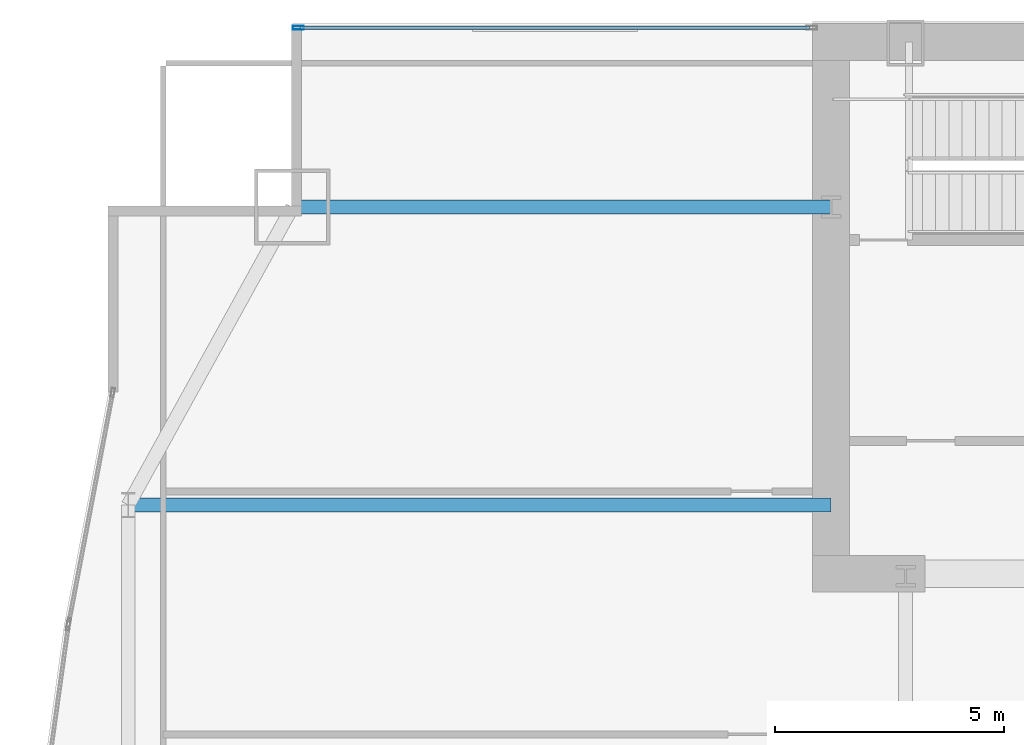
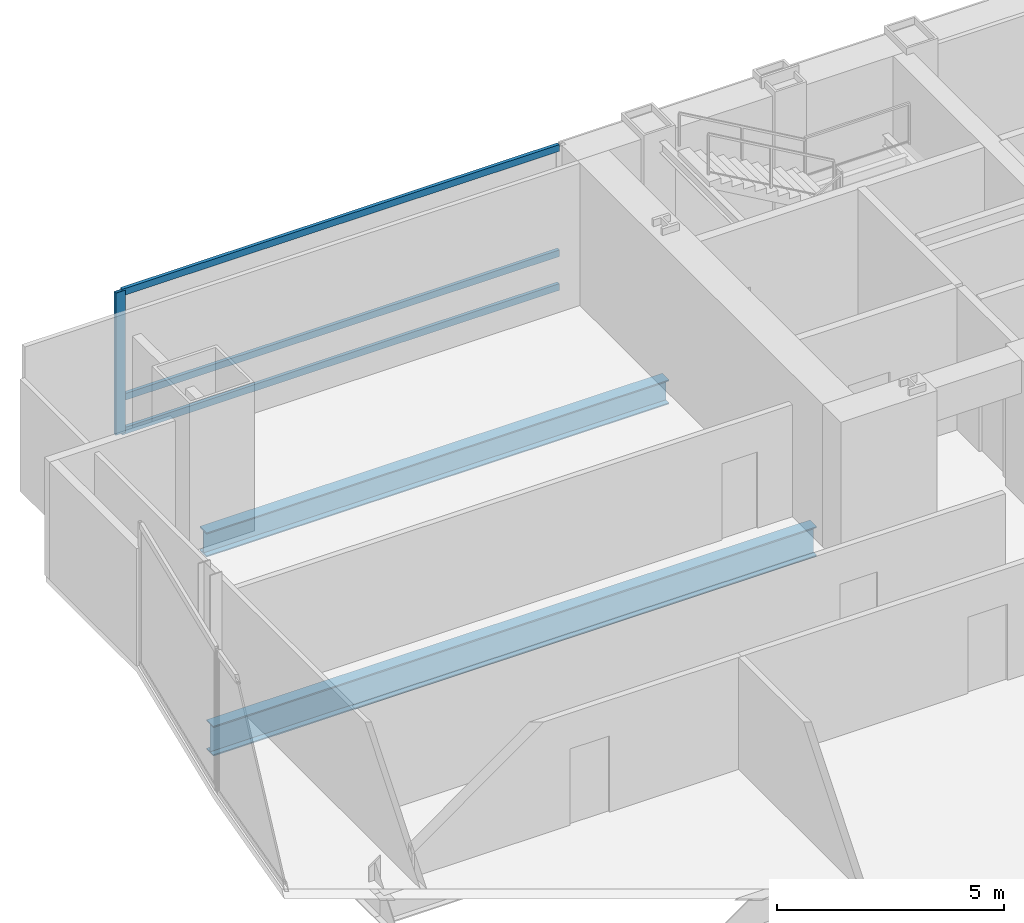
# One storey, part 17 of 37: 4 members, 2 beams, 1 element without a shape of its own.
"""IFC4 building model written with IfcOpenShell, lengths in metres."""

from ifc_helpers import new_model, si_unit, direction, frame, origin, origin_2d, place, context, subcontext, project, spatial, hollow_rectangle, i_section, extrude, material, material_profile, profile_set, type_object, element, aggregate, save


model = new_model("IFC4")

# Units and contexts
model_context = context("Model", 3, precision=1e-05, world=origin(), true_north=direction((0.0, 1.0)))
body_context = subcontext(model_context, "Body", "Model", "MODEL_VIEW")
ifc_project = project(units=[si_unit("LENGTHUNIT", "METRE"), si_unit("AREAUNIT", "SQUARE_METRE"), si_unit("VOLUMEUNIT", "CUBIC_METRE"), si_unit("PLANEANGLEUNIT", "RADIAN"), si_unit("MASSUNIT", "GRAM", prefix="KILO")], contexts=[model_context])

# Site, building, storey
site_placement = place(None, origin())
site = spatial("IfcSite", under=ifc_project, at=site_placement, CompositionType="ELEMENT")
building_placement = place(site_placement, origin())
building = spatial("IfcBuilding", under=site, at=building_placement, Name="Khoronbel Lancet Exchange", CompositionType="ELEMENT")
storey_placement = place(building_placement, frame((0.0, 0.0, 45.800048828125)))
storey = spatial("IfcBuildingStorey", under=building, at=storey_placement, Name="L10", CompositionType="ELEMENT", Elevation=45.800048828125)

# Beams
ifc_material_1 = material(Name="Steel S355", Category="steel")
ifc_material_profile_1 = material_profile(ifc_material_1, i_section(OverallWidth=0.300048828125, OverallDepth=0.800048828125, WebThickness=0.017578125, FlangeThickness=0.032958984375, at=origin_2d()), Name="HEB 800")
ifc_profile_set_1 = profile_set([ifc_material_profile_1], Name="Steel S355")
beam_type_1 = type_object("IfcBeamType", Name="BM-BG2", PredefinedType="BEAM", material=ifc_profile_set_1)
beam_1_placement = place(storey_placement, frame((1.27001953125, 43.199951171875, -0.580078125), z_axis=(1.0, 0.0, 0.0), x_axis=(0.0, 1.0, 0.0)))
element("IfcBeam", 1, at=beam_1_placement, inside=storey, type_object=beam_type_1, Name="Level L10 west lens tie girder LG3W", PredefinedType="BEAM", context=body_context, shape_type="SweptSolid", body=[
    extrude(i_section(OverallWidth=0.300048828125, OverallDepth=0.800048828125, WebThickness=0.017578125, FlangeThickness=0.032958984375, at=origin_2d()), origin(), (0.0, 0.0, 1.0), 15.330078125),
])
ifc_material_profile_2 = material_profile(ifc_material_1, i_section(OverallWidth=0.300048828125, OverallDepth=0.64990234375, WebThickness=0.01611328125, FlangeThickness=0.031005859375, at=origin_2d()), Name="HEB 650")
ifc_profile_set_2 = profile_set([ifc_material_profile_2], Name="Steel S355")
beam_type_2 = type_object("IfcBeamType", Name="BM-BSP1", PredefinedType="SPANDREL", material=ifc_profile_set_2)
beam_2_placement = place(storey_placement, frame((4.85009765625, 49.699951171875, -0.505126953125), z_axis=(1.0, 0.0, 0.0), x_axis=(0.0, 1.0, 0.0)))
element("IfcBeam", 2, at=beam_2_placement, inside=storey, type_object=beam_type_2, Name="Level L10 north flank tie spandrel SP22", PredefinedType="SPANDREL", context=body_context, shape_type="SweptSolid", body=[
    extrude(i_section(OverallWidth=0.300048828125, OverallDepth=0.64990234375, WebThickness=0.01611328125, FlangeThickness=0.031005859375, at=origin_2d()), origin(), (0.0, 0.0, 1.0), 11.75),
])

# Curtain wall, members
ifc_material_2 = material(Name="Low-E Solar Control Insulating Glass", Category="glass")
curtain_wall_type = type_object("IfcCurtainWallType", Name="CW-1", PredefinedType="NOTDEFINED", material=ifc_material_2)
curtain_wall_placement = place(storey_placement, origin())
curtain_wall = element("IfcCurtainWall", 3, at=curtain_wall_placement, inside=storey, type_object=curtain_wall_type, Name="Unitised curtain wall CW-L10-NWFLK", PredefinedType="NOTDEFINED")
ifc_material_3 = material(Name="Bronze-Anodised Aluminium 6063-T6", Category="aluminium")
ifc_material_profile_3 = material_profile(ifc_material_3, hollow_rectangle(XDim=0.0849609375, YDim=0.239990234375, WallThickness=0.006103515625, at=origin_2d()), Name="ALU MULLION 85x240")
ifc_profile_set_3 = profile_set([ifc_material_profile_3], Name="Bronze-Anodised Aluminium 6063-T6")
member_type_1 = type_object("IfcMemberType", Name="MEM-CWM1", PredefinedType="MULLION", material=ifc_profile_set_3)
member_1_placement = place(storey_placement, frame((4.982421875, 53.610107421875, 0.0), z_axis=(0.0, 0.0, 1.0), x_axis=(0.0, -1.0, 0.0)))
member_1 = element("IfcMember", 4, at=member_1_placement, type_object=member_type_1, Name="CW1 mullion 2", PredefinedType="MULLION", context=body_context, shape_type="SweptSolid", body=[
    extrude(hollow_rectangle(XDim=0.0849609375, YDim=0.239990234375, WallThickness=0.006103515625, at=origin_2d()), origin(), (0.0, 0.0, 1.0), 3.820068359375),
])
ifc_material_profile_4 = material_profile(ifc_material_3, hollow_rectangle(XDim=0.0849609375, YDim=0.179931640625, WallThickness=0.0048828125, at=origin_2d()), Name="ALU TRANSOM 85x180")
ifc_profile_set_4 = profile_set([ifc_material_profile_4], Name="Bronze-Anodised Aluminium 6063-T6")
member_type_2 = type_object("IfcMemberType", Name="MEM-CWT1", PredefinedType="USERDEFINED", material=ifc_profile_set_4)
member_2_placement = place(storey_placement, frame((16.135009765625, 53.610107421875, 0.04248046875), z_axis=(-1.0, 0.0, 0.0), x_axis=(0.0, -1.0, 0.0)))
member_2 = element("IfcMember", 5, at=member_2_placement, type_object=member_type_2, Name="CW1 transom 1.1", ObjectType="TRANSOM", PredefinedType="USERDEFINED", context=body_context, shape_type="SweptSolid", body=[
    extrude(hollow_rectangle(XDim=0.0849609375, YDim=0.179931640625, WallThickness=0.0048828125, at=origin_2d()), origin(), (0.0, 0.0, 1.0), 11.110107421875),
])
member_3_placement = place(storey_placement, frame((16.135009765625, 53.610107421875, 0.949951171875), z_axis=(-1.0, 0.0, 0.0), x_axis=(0.0, -1.0, 0.0)))
member_3 = element("IfcMember", 6, at=member_3_placement, type_object=member_type_2, Name="CW1 transom 1.2", ObjectType="TRANSOM", PredefinedType="USERDEFINED", context=body_context, shape_type="SweptSolid", body=[
    extrude(hollow_rectangle(XDim=0.0849609375, YDim=0.179931640625, WallThickness=0.0048828125, at=origin_2d()), origin(), (0.0, 0.0, 1.0), 11.110107421875),
])
member_4_placement = place(storey_placement, frame((16.135009765625, 53.610107421875, 3.77734375), z_axis=(-1.0, 0.0, 0.0), x_axis=(0.0, -1.0, 0.0)))
member_4 = element("IfcMember", 7, at=member_4_placement, type_object=member_type_2, Name="CW1 transom 1.3", ObjectType="TRANSOM", PredefinedType="USERDEFINED", context=body_context, shape_type="SweptSolid", body=[
    extrude(hollow_rectangle(XDim=0.0849609375, YDim=0.179931640625, WallThickness=0.0048828125, at=origin_2d()), origin(), (0.0, 0.0, 1.0), 11.110107421875),
])
aggregate(curtain_wall, [member_1, member_2, member_3, member_4])

save(model, "model.ifc")
